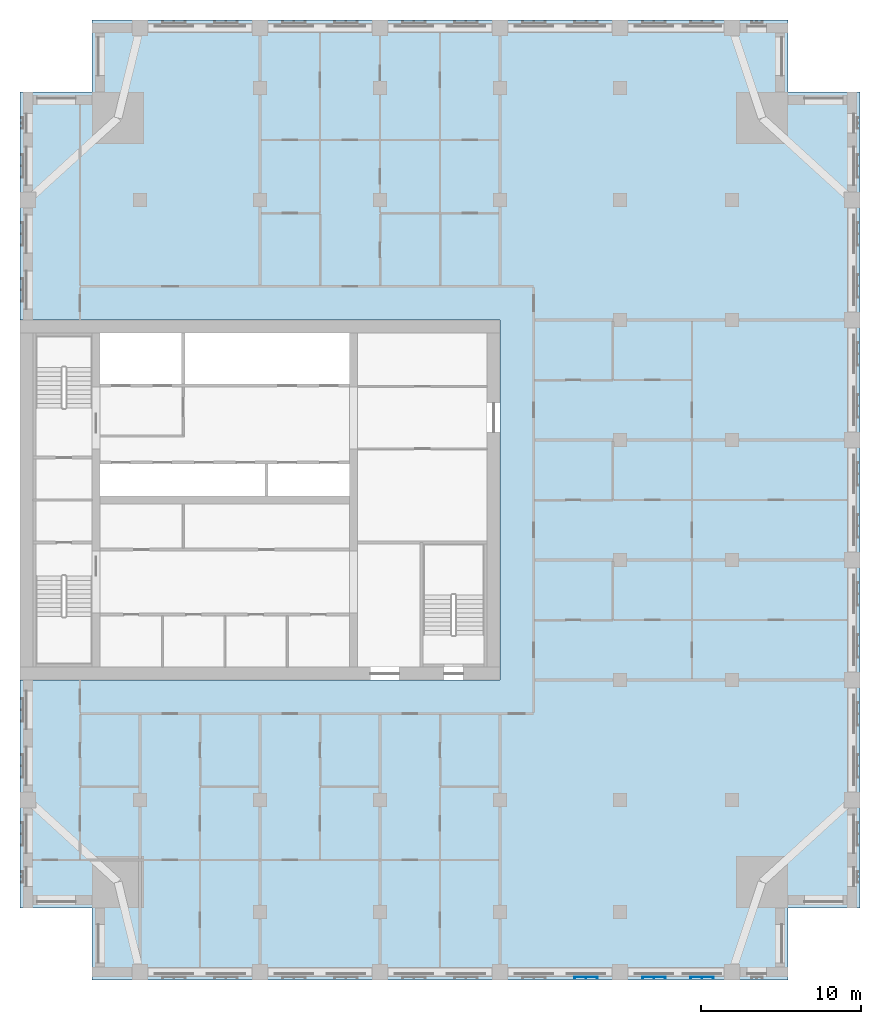
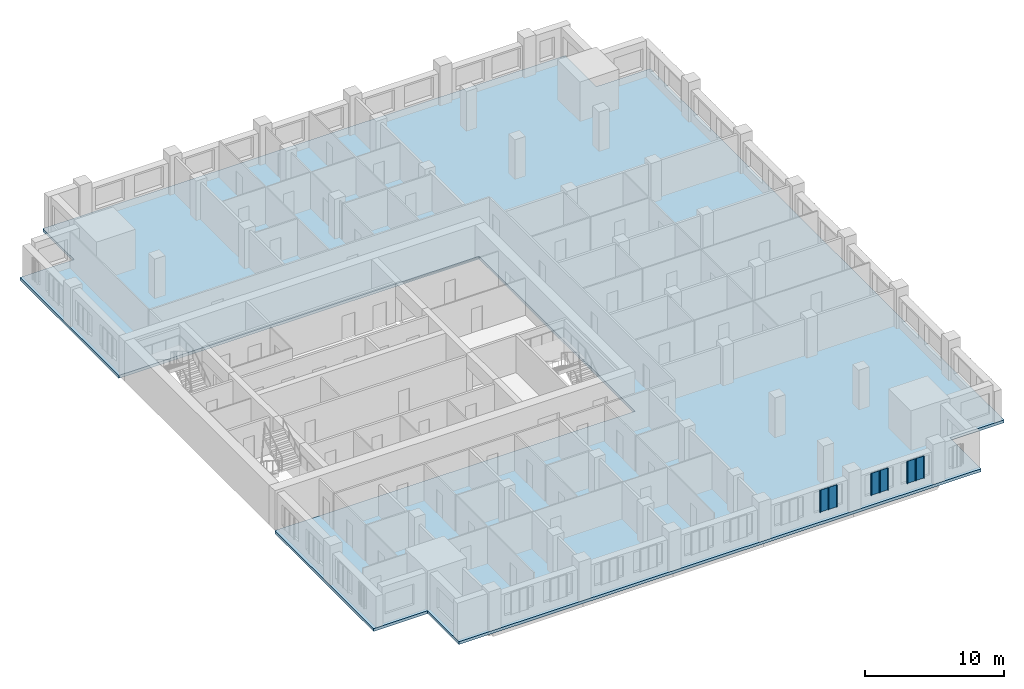
# One storey, part 3 of 14: 3 plates, 1 slab.
"""IFC4 building model written with IfcOpenShell, lengths in metres."""

import ifcopenshell
import ifcopenshell.guid

model = None  # the IFC model being written
_history = None  # IfcOwnerHistory: only IFC2X3 demands one
_inside = {}  # id of a spatial element -> (the spatial element, [elements in it])
_under = {}  # id of a project, library or spatial element -> (it, [spatial elements below it])
_declared = {}  # id of a project -> (the project, [libraries it declares])
_typed = {}  # id of a type object -> (the type object, [elements of that type])
_made_of = {}  # id of a material, layer set ... -> (it, [elements and type objects made of it])


def new_model(schema):
    """Start an empty IFC model of exactly this schema.

    Asked for "IFC4X3", IfcOpenShell would pick the latest addendum, in which some entities
    have other attributes; the version numbers below select the first issue.
    IFC2X3 requires an IfcOwnerHistory on every rooted entity: one is made here for all.
    """
    global model, _history
    if schema == "IFC4X3":
        model = ifcopenshell.file(schema_version=(4, 3, 0, 0))
    else:
        model = ifcopenshell.file(schema=schema)
    _inside.clear()
    _under.clear()
    _declared.clear()
    _typed.clear()
    _made_of.clear()
    _history = None
    if model.schema == "IFC2X3":
        org = make("IfcOrganization", Name="unknown")
        user = make(
            "IfcPersonAndOrganization",
            ThePerson=make("IfcPerson", FamilyName="unknown"),
            TheOrganization=org,
        )
        app = make(
            "IfcApplication",
            ApplicationDeveloper=org,
            Version="unknown",
            ApplicationFullName="unknown",
            ApplicationIdentifier="unknown",
        )
        _history = make(
            "IfcOwnerHistory",
            OwningUser=user,
            OwningApplication=app,
            ChangeAction="ADDED",
            CreationDate=0,
        )
    return model


def make(cls, **values):
    """One entity of the class cls with the attributes given. An attribute that is None is left unset."""
    return model.create_entity(
        cls, **{name: value for name, value in values.items() if value is not None}
    )


def rooted(cls, **values):
    """An entity with a GlobalId (a new one), such as an element, a storey or a relation."""
    return make(cls, GlobalId=ifcopenshell.guid.new(), OwnerHistory=_history, **values)


def si_unit(unit_type, name, prefix=None):
    """IfcSIUnit, for example si_unit("LENGTHUNIT", "METRE", prefix="MILLI")."""
    return make("IfcSIUnit", UnitType=unit_type, Prefix=prefix, Name=name)


def assignment(units):
    """IfcUnitAssignment: the units of a project."""
    return None if units is None else make("IfcUnitAssignment", Units=units)


def point(xyz):
    """IfcCartesianPoint."""
    return None if xyz is None else make("IfcCartesianPoint", Coordinates=xyz)


def direction(xyz):
    """IfcDirection."""
    return None if xyz is None else make("IfcDirection", DirectionRatios=xyz)


def frame(location, z_axis=None, x_axis=None):
    """IfcAxis2Placement3D, a coordinate frame: its origin and axes. An axis left out is left unset."""
    return make(
        "IfcAxis2Placement3D",
        Location=point(location),
        Axis=direction(z_axis),
        RefDirection=direction(x_axis),
    )


def origin():
    """The frame at (0, 0, 0) with its axes left unset."""
    return frame((0.0, 0.0, 0.0))


def place(relative_to, where):
    """IfcLocalPlacement: puts the frame where relative to a parent placement (None: the world)."""
    return make(
        "IfcLocalPlacement", PlacementRelTo=relative_to, RelativePlacement=where
    )


def context(
    kind, dimensions, precision=None, world=None, true_north=None, identifier=None
):
    """IfcGeometricRepresentationContext, for example the 3D "Model" context."""
    return make(
        "IfcGeometricRepresentationContext",
        ContextIdentifier=identifier,
        ContextType=kind,
        CoordinateSpaceDimension=dimensions,
        Precision=precision,
        WorldCoordinateSystem=world,
        TrueNorth=true_north,
    )


def subcontext(parent, identifier, kind, view, scale=None):
    """IfcGeometricRepresentationSubContext, for example "Body" below "Model"."""
    return make(
        "IfcGeometricRepresentationSubContext",
        ContextIdentifier=identifier,
        ContextType=kind,
        ParentContext=parent,
        TargetScale=scale,
        TargetView=view,
    )


def project(units=None, contexts=None):
    """IfcProject with its units and contexts."""
    return rooted(
        "IfcProject",
        Name="project",
        RepresentationContexts=contexts,
        UnitsInContext=assignment(units),
    )


def spatial(cls, under=None, at=None, **own):
    """A site, building, storey or space (cls), placed at a placement, below another one or the project."""
    s = rooted(cls, ObjectPlacement=at, **own)
    if under is not None:
        _under.setdefault(under.id(), (under, []))[1].append(s)
    return s


def polyline(points):
    """IfcPolyline through the points."""
    return make("IfcPolyline", Points=[point(p) for p in points])


def outline(outer, holes=None, kind="AREA"):
    """IfcArbitraryClosedProfileDef: a profile drawn as a closed curve; with holes, ...WithVoids."""
    if holes is None:
        return make("IfcArbitraryClosedProfileDef", ProfileType=kind, OuterCurve=outer)
    return make(
        "IfcArbitraryProfileDefWithVoids",
        ProfileType=kind,
        OuterCurve=outer,
        InnerCurves=holes,
    )


def extrude(swept, where, along, depth):
    """IfcExtrudedAreaSolid: the profile swept, set in the frame where, extruded along a direction by depth."""
    return make(
        "IfcExtrudedAreaSolid",
        SweptArea=swept,
        Position=where,
        ExtrudedDirection=direction(along),
        Depth=depth,
    )


def shape(context_of_items, identifier, shape_type, items):
    """IfcShapeRepresentation: the items that make up one representation, for example the "Body"."""
    return make(
        "IfcShapeRepresentation",
        ContextOfItems=context_of_items,
        RepresentationIdentifier=identifier,
        RepresentationType=shape_type,
        Items=items,
    )


def material(Name=None, Category=None):
    """IfcMaterial."""
    return make("IfcMaterial", Name=Name, Category=Category)


def layer(
    of_material, thickness, ventilated=None, Name=None, Category=None, Priority=None
):
    """IfcMaterialLayer: one layer of a wall or slab, of a material (None: an air gap)."""
    return make(
        "IfcMaterialLayer",
        Material=of_material,
        LayerThickness=thickness,
        IsVentilated=ventilated,
        Name=Name,
        Category=Category,
        Priority=Priority,
    )


def layer_set(layers, Name=None):
    """IfcMaterialLayerSet."""
    return make("IfcMaterialLayerSet", MaterialLayers=layers, LayerSetName=Name)


def made_of(thing, what):
    """Note that an element or type object is made of a material, layer set ...; save() writes the relation."""
    if what is not None:
        _made_of.setdefault(what.id(), (what, []))[1].append(thing)
    return thing


def type_object(cls, material=None, **own):
    """A type object (cls), such as IfcWallType, which elements share."""
    return made_of(rooted(cls, **own), material)


def element(
    cls,
    number,
    at=None,
    inside=None,
    cuts=None,
    type_object=None,
    material=None,
    context=None,
    identifier="Body",
    shape_type=None,
    held_by="IfcProductDefinitionShape",
    body=None,
    shapes=None,
    **own,
):
    """One element of the class cls, such as IfcWall. Its Tag is "e" and its number.

    at: its placement. inside: the storey or other place that contains it. cuts: it is an
    opening in that element (IfcRelVoidsElement). A single representation is given by context,
    identifier, shape_type and body (its items); several are given by shapes. held_by: the class
    of the entity that holds the representations. save() writes the other relations.
    """
    e = rooted(cls, Tag="e%d" % number, ObjectPlacement=at, **own)
    if body is not None:
        shapes = [shape(context, identifier, shape_type, body)]
    if shapes is not None:
        e.Representation = make(held_by, Representations=shapes)
    if inside is not None:
        _inside.setdefault(inside.id(), (inside, []))[1].append(e)
    if cuts is not None:
        rooted(
            "IfcRelVoidsElement", RelatingBuildingElement=cuts, RelatedOpeningElement=e
        )
    if type_object is not None:
        _typed.setdefault(type_object.id(), (type_object, []))[1].append(e)
    return made_of(e, material)


def aggregate(whole, parts):
    """IfcRelAggregates: a whole, such as a stair, and the parts it consists of."""
    return rooted("IfcRelAggregates", RelatingObject=whole, RelatedObjects=parts)


def save(model, path):
    """Write the relations noted so far, then the file.

    IfcRelAggregates (storeys below a building ...), IfcRelContainedInSpatialStructure (elements
    in a storey), IfcRelDefinesByType, IfcRelAssociatesMaterial and IfcRelDeclares: one each for
    every whole, place, type object, material and project.
    """
    for whole, parts in _under.values():
        aggregate(whole, parts)
    for where, things in _inside.values():
        rooted(
            "IfcRelContainedInSpatialStructure",
            RelatedElements=things,
            RelatingStructure=where,
        )
    for kind, things in _typed.values():
        rooted("IfcRelDefinesByType", RelatedObjects=things, RelatingType=kind)
    for what, things in _made_of.values():
        rooted("IfcRelAssociatesMaterial", RelatedObjects=things, RelatingMaterial=what)
    for by, libraries in _declared.values():
        rooted("IfcRelDeclares", RelatingContext=by, RelatedDefinitions=libraries)
    model.write(path)


model = new_model("IFC4")

# Units and contexts
model_context = context("Model", 3, precision=1e-05, world=origin(), true_north=direction((0.0, 1.0)))
body_context = subcontext(model_context, "Body", "Model", "MODEL_VIEW")
ifc_project = project(units=[si_unit("LENGTHUNIT", "METRE"), si_unit("AREAUNIT", "SQUARE_METRE"), si_unit("VOLUMEUNIT", "CUBIC_METRE"), si_unit("PLANEANGLEUNIT", "RADIAN"), si_unit("MASSUNIT", "GRAM", prefix="KILO")], contexts=[model_context])

# Site, building, storey
site_placement = place(None, origin())
site = spatial("IfcSite", under=ifc_project, at=site_placement, CompositionType="ELEMENT")
building_placement = place(site_placement, origin())
building = spatial("IfcBuilding", under=site, at=building_placement, Name="Tamorin Gate", CompositionType="ELEMENT")
storey_placement = place(building_placement, frame((0.0, 0.0, 186.199951171875)))
storey = spatial("IfcBuildingStorey", under=building, at=storey_placement, Name="L45", CompositionType="ELEMENT", Elevation=186.199951171875)

# Slab
ifc_material_1 = material(Name="Concrete C40/50", Category="concrete")
ifc_layer_1 = layer(ifc_material_1, 0.25)
ifc_layer_set_1 = layer_set([ifc_layer_1], Name="Floor slab 250 C40/50")
slab_type = type_object("IfcSlabType", Name="Floor slab 250 C40/50", PredefinedType="FLOOR", material=ifc_layer_set_1)
slab_placement = place(storey_placement, frame((0.0, 0.0, -0.25)))
element("IfcSlab", 1, at=slab_placement, inside=storey, type_object=slab_type, Name="Floor L45", PredefinedType="FLOOR", context=body_context, shape_type="SweptSolid", body=[
    extrude(outline(polyline([(30.0, 96.75), (34.5, 96.75), (34.5, 101.25), (78.0, 101.25), (78.0, 96.75), (82.5, 96.75), (82.5, 45.75), (78.0, 45.75), (78.0, 41.25), (34.5, 41.25), (34.5, 45.75), (30.0, 45.75), (30.0, 60.0), (60.0, 60.0), (60.0, 82.5), (30.0, 82.5), (30.0, 96.75)])), origin(), (0.0, 0.0, 1.0), 0.25),
])

# Plates
ifc_material_2 = material(Name="Perforated pale aluminium sheet", Category="aluminium")
ifc_layer_2 = layer(ifc_material_2, 0.0400390625)
ifc_layer_set_2 = layer_set([ifc_layer_2], Name="Pale metal solar screen 1440")
plate_type = type_object("IfcPlateType", Name="Pale metal solar screen 1440", PredefinedType="SHEET", material=ifc_layer_set_2)
plate_1_placement = place(storey_placement, frame((0.0, 0.0, 0.737548828125)))
element("IfcPlate", 2, at=plate_1_placement, inside=storey, type_object=plate_type, Name="Perforated solar screen", PredefinedType="SHEET", context=body_context, shape_type="SweptSolid", body=[
    extrude(outline(polyline([(64.655029296875, 41.409912109375), (64.655029296875, 41.449951171875), (64.715087890625, 41.449951171875), (65.344970703125, 41.449951171875), (65.405029296875, 41.449951171875), (66.034912109375, 41.449951171875), (66.094970703125, 41.449951171875), (66.094970703125, 41.409912109375), (66.094970703125, 41.35009765625), (66.034912109375, 41.35009765625), (66.034912109375, 41.409912109375), (65.405029296875, 41.409912109375), (65.405029296875, 41.35009765625), (65.344970703125, 41.35009765625), (65.344970703125, 41.409912109375), (64.715087890625, 41.409912109375), (64.715087890625, 41.35009765625), (64.655029296875, 41.35009765625), (64.655029296875, 41.409912109375)])), origin(), (0.0, 0.0, 1.0), 1.925048828125),
])
plate_2_placement = place(storey_placement, frame((0.0, 0.0, 0.737548828125)))
element("IfcPlate", 3, at=plate_2_placement, inside=storey, type_object=plate_type, Name="Perforated solar screen", PredefinedType="SHEET", context=body_context, shape_type="SweptSolid", body=[
    extrude(outline(polyline([(68.905029296875, 41.409912109375), (68.905029296875, 41.449951171875), (68.965087890625, 41.449951171875), (69.594970703125, 41.449951171875), (69.655029296875, 41.449951171875), (70.284912109375, 41.449951171875), (70.344970703125, 41.449951171875), (70.344970703125, 41.409912109375), (70.344970703125, 41.35009765625), (70.284912109375, 41.35009765625), (70.284912109375, 41.409912109375), (69.655029296875, 41.409912109375), (69.655029296875, 41.35009765625), (69.594970703125, 41.35009765625), (69.594970703125, 41.409912109375), (68.965087890625, 41.409912109375), (68.965087890625, 41.35009765625), (68.905029296875, 41.35009765625), (68.905029296875, 41.409912109375)])), origin(), (0.0, 0.0, 1.0), 1.925048828125),
])
plate_3_placement = place(storey_placement, frame((0.0, 0.0, 0.737548828125)))
element("IfcPlate", 4, at=plate_3_placement, inside=storey, type_object=plate_type, Name="Perforated solar screen", PredefinedType="SHEET", context=body_context, shape_type="SweptSolid", body=[
    extrude(outline(polyline([(71.905029296875, 41.409912109375), (71.905029296875, 41.449951171875), (71.965087890625, 41.449951171875), (72.594970703125, 41.449951171875), (72.655029296875, 41.449951171875), (73.284912109375, 41.449951171875), (73.344970703125, 41.449951171875), (73.344970703125, 41.409912109375), (73.344970703125, 41.35009765625), (73.284912109375, 41.35009765625), (73.284912109375, 41.409912109375), (72.655029296875, 41.409912109375), (72.655029296875, 41.35009765625), (72.594970703125, 41.35009765625), (72.594970703125, 41.409912109375), (71.965087890625, 41.409912109375), (71.965087890625, 41.35009765625), (71.905029296875, 41.35009765625), (71.905029296875, 41.409912109375)])), origin(), (0.0, 0.0, 1.0), 1.925048828125),
])

save(model, "model.ifc")
